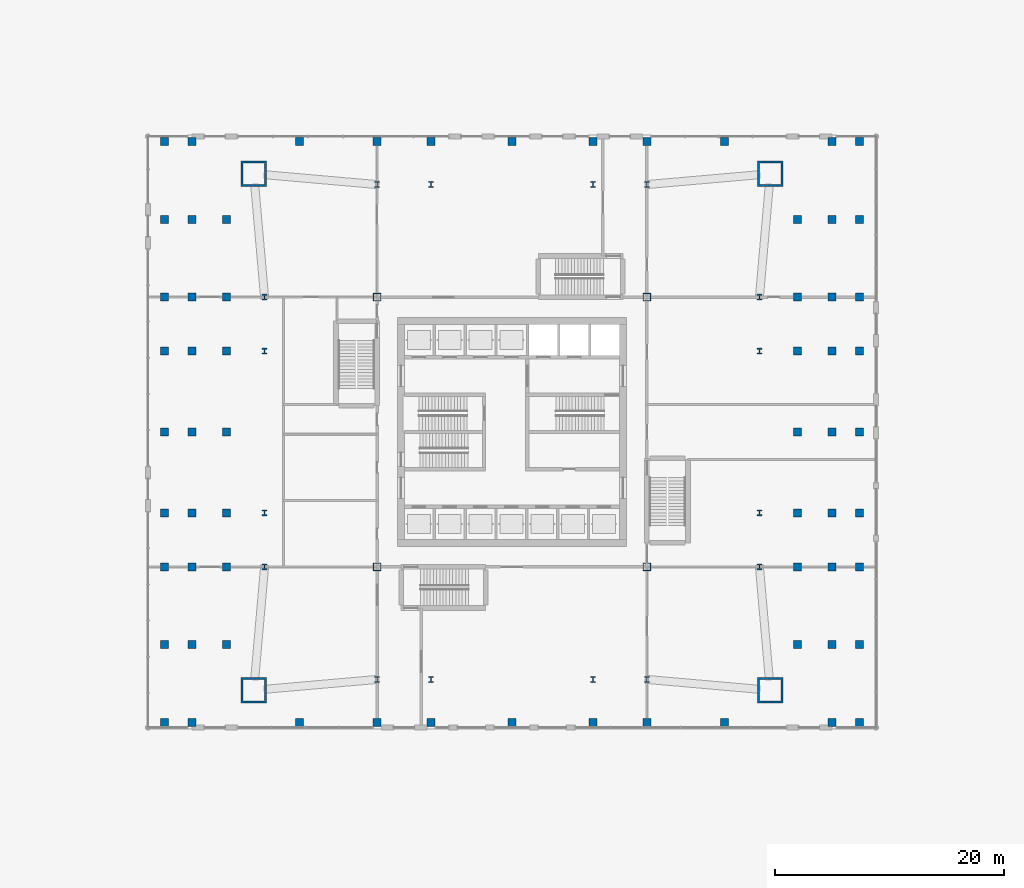
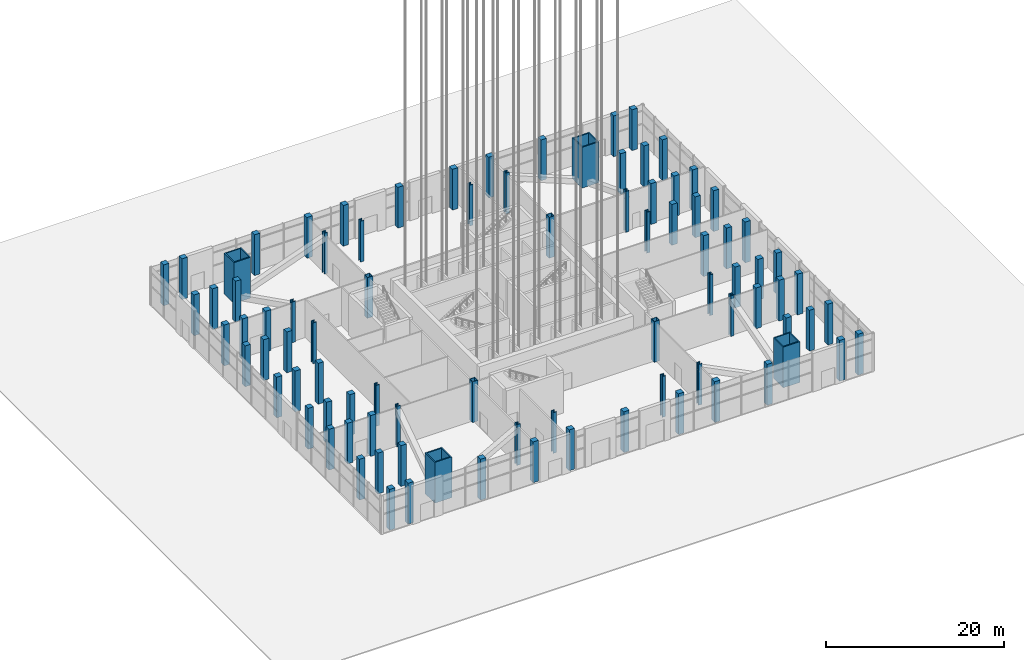
# One storey, part 1 of 27: 88 columns.
"""IFC4 building model written with IfcOpenShell, lengths in metres."""

from ifc_helpers import new_model, si_unit, direction, frame, origin, origin_2d, place, context, subcontext, project, spatial, rectangle, hollow_rectangle, i_section, extrude, material, material_profile, profile_set, type_object, element, save


model = new_model("IFC4")

# Units and contexts
model_context = context("Model", 3, precision=1e-05, world=origin(), true_north=direction((0.0, 1.0)))
body_context = subcontext(model_context, "Body", "Model", "MODEL_VIEW")
ifc_project = project(units=[si_unit("LENGTHUNIT", "METRE"), si_unit("AREAUNIT", "SQUARE_METRE"), si_unit("VOLUMEUNIT", "CUBIC_METRE"), si_unit("PLANEANGLEUNIT", "RADIAN"), si_unit("MASSUNIT", "GRAM", prefix="KILO")], contexts=[model_context])

# Site, building, storey
site_placement = place(None, origin())
site = spatial("IfcSite", under=ifc_project, at=site_placement, CompositionType="ELEMENT")
building_placement = place(site_placement, origin())
building = spatial("IfcBuilding", under=site, at=building_placement, Name="Turquesa Mirador Hotel Tower", CompositionType="ELEMENT")
storey_placement = place(building_placement, origin())
storey = spatial("IfcBuildingStorey", under=building, at=storey_placement, Name="L00", CompositionType="ELEMENT", Elevation=0.0)

# Columns
ifc_material_1 = material(Name="Steel ASTM A572 Grade 50", Category="steel")
ifc_material_profile_1 = material_profile(ifc_material_1, hollow_rectangle(XDim=0.699951171875, YDim=0.699951171875, WallThickness=0.06005859375, at=origin_2d()), Name="BOX700X700X60")
ifc_profile_set_1 = profile_set([ifc_material_profile_1], Name="Steel ASTM A572 Grade 50")
column_type_1 = type_object("IfcColumnType", Name="COLUMN BOX700X700X60", PredefinedType="COLUMN", material=ifc_profile_set_1)
for number, where, z_axis, x_axis, name in (
    (1, (43.199951171875, 33.199951171875, 0.0), (0.0, 0.0, 1.0), (1.0, 0.0, 0.0), "COL-L00-K--11.80--11.80"),
    (2, (43.199951171875, 56.800048828125, 0.0), (0.0, 0.0, 1.0), (1.0, 0.0, 0.0), "COL-L00-K--11.80-+11.80"),
    (3, (66.800048828125, 33.199951171875, 0.0), (0.0, 0.0, 1.0), (1.0, 0.0, 0.0), "COL-L00-K-+11.80--11.80"),
    (4, (66.800048828125, 56.800048828125, 0.0), (0.0, 0.0, 1.0), (1.0, 0.0, 0.0), "COL-L00-K-+11.80-+11.80"),
):
    element("IfcColumn", number, at=place(storey_placement, frame(where, z_axis=z_axis, x_axis=x_axis)), inside=storey, type_object=column_type_1, Name=name, PredefinedType="COLUMN", context=body_context, shape_type="SweptSolid", body=[
        extrude(hollow_rectangle(XDim=0.699951171875, YDim=0.699951171875, WallThickness=0.06005859375, at=origin_2d()), origin(), (0.0, 0.0, 1.0), 5.60009765625),
    ])
ifc_material_2 = material(Name="Steel ASTM A992 Grade 50", Category="steel")
ifc_material_profile_2 = material_profile(ifc_material_2, i_section(OverallWidth=0.44189453125, OverallDepth=0.53076171875, WebThickness=0.06591796875, FlangeThickness=0.105712890625, at=origin_2d()), Name="W14X605")
ifc_profile_set_2 = profile_set([ifc_material_profile_2], Name="Steel ASTM A992 Grade 50")
column_type_2 = type_object("IfcColumnType", Name="COLUMN W14X605", PredefinedType="COLUMN", material=ifc_profile_set_2)
for number, where, z_axis, x_axis, name in (
    (5, (33.35009765625, 33.199951171875, 0.0), (0.0, 0.0, 1.0), (1.0, 0.0, 0.0), "COL-L00-P--21.65--11.80"),
    (6, (33.35009765625, 37.919921875, 0.0), (0.0, 0.0, 1.0), (1.0, 0.0, 0.0), "COL-L00-P--21.65--7.08"),
    (7, (33.35009765625, 52.080078125, 0.0), (0.0, 0.0, 1.0), (1.0, 0.0, 0.0), "COL-L00-P--21.65-+7.08"),
    (8, (33.35009765625, 56.800048828125, 0.0), (0.0, 0.0, 1.0), (1.0, 0.0, 0.0), "COL-L00-P--21.65-+11.80"),
    (9, (43.199951171875, 23.35009765625, 0.0), (0.0, 0.0, 1.0), (1.0, 0.0, 0.0), "COL-L00-P--11.80--21.65"),
    (10, (43.199951171875, 66.64990234375, 0.0), (0.0, 0.0, 1.0), (1.0, 0.0, 0.0), "COL-L00-P--11.80-+21.65"),
    (11, (47.919921875, 23.35009765625, 0.0), (0.0, 0.0, 1.0), (1.0, 0.0, 0.0), "COL-L00-P--7.08--21.65"),
    (12, (47.919921875, 66.64990234375, 0.0), (0.0, 0.0, 1.0), (1.0, 0.0, 0.0), "COL-L00-P--7.08-+21.65"),
    (13, (62.080078125, 23.35009765625, 0.0), (0.0, 0.0, 1.0), (1.0, 0.0, 0.0), "COL-L00-P-+7.08--21.65"),
    (14, (62.080078125, 66.64990234375, 0.0), (0.0, 0.0, 1.0), (1.0, 0.0, 0.0), "COL-L00-P-+7.08-+21.65"),
    (15, (66.800048828125, 23.35009765625, 0.0), (0.0, 0.0, 1.0), (1.0, 0.0, 0.0), "COL-L00-P-+11.80--21.65"),
    (16, (66.800048828125, 66.64990234375, 0.0), (0.0, 0.0, 1.0), (1.0, 0.0, 0.0), "COL-L00-P-+11.80-+21.65"),
    (17, (76.64990234375, 33.199951171875, 0.0), (0.0, 0.0, 1.0), (1.0, 0.0, 0.0), "COL-L00-P-+21.65--11.80"),
    (18, (76.64990234375, 37.919921875, 0.0), (0.0, 0.0, 1.0), (1.0, 0.0, 0.0), "COL-L00-P-+21.65--7.08"),
    (19, (76.64990234375, 52.080078125, 0.0), (0.0, 0.0, 1.0), (1.0, 0.0, 0.0), "COL-L00-P-+21.65-+7.08"),
    (20, (76.64990234375, 56.800048828125, 0.0), (0.0, 0.0, 1.0), (1.0, 0.0, 0.0), "COL-L00-P-+21.65-+11.80"),
):
    element("IfcColumn", number, at=place(storey_placement, frame(where, z_axis=z_axis, x_axis=x_axis)), inside=storey, type_object=column_type_2, Name=name, PredefinedType="COLUMN", context=body_context, shape_type="SweptSolid", body=[
        extrude(i_section(OverallWidth=0.44189453125, OverallDepth=0.53076171875, WebThickness=0.06591796875, FlangeThickness=0.105712890625, at=origin_2d()), origin(), (0.0, 0.0, 1.0), 5.60009765625),
    ])
ifc_material_3 = material(Name="Steel ASTM A514 Grade Q", Category="steel")
ifc_material_profile_3 = material_profile(ifc_material_3, hollow_rectangle(XDim=2.199951171875, YDim=2.199951171875, WallThickness=0.14990234375, at=origin_2d()), Name="BOX2200X2200X150")
ifc_profile_set_3 = profile_set([ifc_material_profile_3], Name="Steel ASTM A514 Grade Q")
column_type_3 = type_object("IfcColumnType", Name="MEGA COLUMN BOX2200X2200X150", PredefinedType="COLUMN", material=ifc_profile_set_3)
for number, where, z_axis, x_axis, name in (
    (21, (77.60009765625, 67.60009765625, 0.0), (0.0, 0.0, 1.0), (1.0, 0.0, 0.0), "Mega column M1"),
    (22, (32.39990234375, 67.60009765625, 0.0), (0.0, 0.0, 1.0), (1.0, 0.0, 0.0), "Mega column M2"),
    (23, (32.39990234375, 22.39990234375, 0.0), (0.0, 0.0, 1.0), (1.0, 0.0, 0.0), "Mega column M3"),
    (24, (77.60009765625, 22.39990234375, 0.0), (0.0, 0.0, 1.0), (1.0, 0.0, 0.0), "Mega column M4"),
):
    element("IfcColumn", number, at=place(storey_placement, frame(where, z_axis=z_axis, x_axis=x_axis)), inside=storey, type_object=column_type_3, Name=name, PredefinedType="COLUMN", context=body_context, shape_type="SweptSolid", body=[
        extrude(hollow_rectangle(XDim=2.199951171875, YDim=2.199951171875, WallThickness=0.14990234375, at=origin_2d()), origin(), (0.0, 0.0, 1.0), 5.60009765625),
    ])
ifc_material_4 = material(Name="Concrete C50/60", Category="concrete")
ifc_material_profile_4 = material_profile(ifc_material_4, rectangle(XDim=0.699951171875, YDim=0.699951171875, at=origin_2d()), Name="RC 700X700")
ifc_profile_set_4 = profile_set([ifc_material_profile_4], Name="Concrete C50/60")
column_type_4 = type_object("IfcColumnType", Name="PODIUM COLUMN 700X700", PredefinedType="COLUMN", material=ifc_profile_set_4)
for number, where, z_axis, x_axis, name in (
    (25, (24.60009765625, 19.60009765625, 0.0), (0.0, 0.0, 1.0), (1.0, 0.0, 0.0), "PCOL-L00--30.40--25.40"),
    (26, (24.60009765625, 26.39990234375, 0.0), (0.0, 0.0, 1.0), (1.0, 0.0, 0.0), "PCOL-L00--30.40--18.60"),
    (27, (24.60009765625, 33.199951171875, 0.0), (0.0, 0.0, 1.0), (1.0, 0.0, 0.0), "PCOL-L00--30.40--11.80"),
    (28, (24.60009765625, 37.919921875, 0.0), (0.0, 0.0, 1.0), (1.0, 0.0, 0.0), "PCOL-L00--30.40--7.08"),
    (29, (24.60009765625, 45.0, 0.0), (0.0, 0.0, 1.0), (1.0, 0.0, 0.0), "PCOL-L00--30.40-+0.00"),
    (30, (24.60009765625, 52.080078125, 0.0), (0.0, 0.0, 1.0), (1.0, 0.0, 0.0), "PCOL-L00--30.40-+7.08"),
    (31, (24.60009765625, 56.800048828125, 0.0), (0.0, 0.0, 1.0), (1.0, 0.0, 0.0), "PCOL-L00--30.40-+11.80"),
    (32, (24.60009765625, 63.60009765625, 0.0), (0.0, 0.0, 1.0), (1.0, 0.0, 0.0), "PCOL-L00--30.40-+18.60"),
    (33, (24.60009765625, 70.39990234375, 0.0), (0.0, 0.0, 1.0), (1.0, 0.0, 0.0), "PCOL-L00--30.40-+25.40"),
    (34, (27.0, 19.60009765625, 0.0), (0.0, 0.0, 1.0), (1.0, 0.0, 0.0), "PCOL-L00--28.00--25.40"),
    (35, (27.0, 26.39990234375, 0.0), (0.0, 0.0, 1.0), (1.0, 0.0, 0.0), "PCOL-L00--28.00--18.60"),
    (36, (27.0, 33.199951171875, 0.0), (0.0, 0.0, 1.0), (1.0, 0.0, 0.0), "PCOL-L00--28.00--11.80"),
    (37, (27.0, 37.919921875, 0.0), (0.0, 0.0, 1.0), (1.0, 0.0, 0.0), "PCOL-L00--28.00--7.08"),
    (38, (27.0, 45.0, 0.0), (0.0, 0.0, 1.0), (1.0, 0.0, 0.0), "PCOL-L00--28.00-+0.00"),
    (39, (27.0, 52.080078125, 0.0), (0.0, 0.0, 1.0), (1.0, 0.0, 0.0), "PCOL-L00--28.00-+7.08"),
    (40, (27.0, 56.800048828125, 0.0), (0.0, 0.0, 1.0), (1.0, 0.0, 0.0), "PCOL-L00--28.00-+11.80"),
    (41, (27.0, 63.60009765625, 0.0), (0.0, 0.0, 1.0), (1.0, 0.0, 0.0), "PCOL-L00--28.00-+18.60"),
    (42, (27.0, 70.39990234375, 0.0), (0.0, 0.0, 1.0), (1.0, 0.0, 0.0), "PCOL-L00--28.00-+25.40"),
    (43, (30.0, 26.39990234375, 0.0), (0.0, 0.0, 1.0), (1.0, 0.0, 0.0), "PCOL-L00--25.00--18.60"),
    (44, (30.0, 33.199951171875, 0.0), (0.0, 0.0, 1.0), (1.0, 0.0, 0.0), "PCOL-L00--25.00--11.80"),
    (45, (30.0, 37.919921875, 0.0), (0.0, 0.0, 1.0), (1.0, 0.0, 0.0), "PCOL-L00--25.00--7.08"),
    (46, (30.0, 45.0, 0.0), (0.0, 0.0, 1.0), (1.0, 0.0, 0.0), "PCOL-L00--25.00-+0.00"),
    (47, (30.0, 52.080078125, 0.0), (0.0, 0.0, 1.0), (1.0, 0.0, 0.0), "PCOL-L00--25.00-+7.08"),
    (48, (30.0, 56.800048828125, 0.0), (0.0, 0.0, 1.0), (1.0, 0.0, 0.0), "PCOL-L00--25.00-+11.80"),
    (49, (30.0, 63.60009765625, 0.0), (0.0, 0.0, 1.0), (1.0, 0.0, 0.0), "PCOL-L00--25.00-+18.60"),
    (50, (36.39990234375, 19.60009765625, 0.0), (0.0, 0.0, 1.0), (1.0, 0.0, 0.0), "PCOL-L00--18.60--25.40"),
    (51, (36.39990234375, 70.39990234375, 0.0), (0.0, 0.0, 1.0), (1.0, 0.0, 0.0), "PCOL-L00--18.60-+25.40"),
    (52, (43.199951171875, 19.60009765625, 0.0), (0.0, 0.0, 1.0), (1.0, 0.0, 0.0), "PCOL-L00--11.80--25.40"),
    (53, (43.199951171875, 70.39990234375, 0.0), (0.0, 0.0, 1.0), (1.0, 0.0, 0.0), "PCOL-L00--11.80-+25.40"),
    (54, (47.919921875, 19.60009765625, 0.0), (0.0, 0.0, 1.0), (1.0, 0.0, 0.0), "PCOL-L00--7.08--25.40"),
    (55, (47.919921875, 70.39990234375, 0.0), (0.0, 0.0, 1.0), (1.0, 0.0, 0.0), "PCOL-L00--7.08-+25.40"),
    (56, (55.0, 19.60009765625, 0.0), (0.0, 0.0, 1.0), (1.0, 0.0, 0.0), "PCOL-L00-+0.00--25.40"),
    (57, (55.0, 70.39990234375, 0.0), (0.0, 0.0, 1.0), (1.0, 0.0, 0.0), "PCOL-L00-+0.00-+25.40"),
    (58, (62.080078125, 19.60009765625, 0.0), (0.0, 0.0, 1.0), (1.0, 0.0, 0.0), "PCOL-L00-+7.08--25.40"),
    (59, (62.080078125, 70.39990234375, 0.0), (0.0, 0.0, 1.0), (1.0, 0.0, 0.0), "PCOL-L00-+7.08-+25.40"),
    (60, (66.800048828125, 19.60009765625, 0.0), (0.0, 0.0, 1.0), (1.0, 0.0, 0.0), "PCOL-L00-+11.80--25.40"),
    (61, (66.800048828125, 70.39990234375, 0.0), (0.0, 0.0, 1.0), (1.0, 0.0, 0.0), "PCOL-L00-+11.80-+25.40"),
    (62, (73.60009765625, 19.60009765625, 0.0), (0.0, 0.0, 1.0), (1.0, 0.0, 0.0), "PCOL-L00-+18.60--25.40"),
    (63, (73.60009765625, 70.39990234375, 0.0), (0.0, 0.0, 1.0), (1.0, 0.0, 0.0), "PCOL-L00-+18.60-+25.40"),
    (64, (80.0, 26.39990234375, 0.0), (0.0, 0.0, 1.0), (1.0, 0.0, 0.0), "PCOL-L00-+25.00--18.60"),
    (65, (80.0, 33.199951171875, 0.0), (0.0, 0.0, 1.0), (1.0, 0.0, 0.0), "PCOL-L00-+25.00--11.80"),
    (66, (80.0, 37.919921875, 0.0), (0.0, 0.0, 1.0), (1.0, 0.0, 0.0), "PCOL-L00-+25.00--7.08"),
    (67, (80.0, 45.0, 0.0), (0.0, 0.0, 1.0), (1.0, 0.0, 0.0), "PCOL-L00-+25.00-+0.00"),
    (68, (80.0, 52.080078125, 0.0), (0.0, 0.0, 1.0), (1.0, 0.0, 0.0), "PCOL-L00-+25.00-+7.08"),
    (69, (80.0, 56.800048828125, 0.0), (0.0, 0.0, 1.0), (1.0, 0.0, 0.0), "PCOL-L00-+25.00-+11.80"),
    (70, (80.0, 63.60009765625, 0.0), (0.0, 0.0, 1.0), (1.0, 0.0, 0.0), "PCOL-L00-+25.00-+18.60"),
    (71, (83.0, 19.60009765625, 0.0), (0.0, 0.0, 1.0), (1.0, 0.0, 0.0), "PCOL-L00-+28.00--25.40"),
    (72, (83.0, 26.39990234375, 0.0), (0.0, 0.0, 1.0), (1.0, 0.0, 0.0), "PCOL-L00-+28.00--18.60"),
    (73, (83.0, 33.199951171875, 0.0), (0.0, 0.0, 1.0), (1.0, 0.0, 0.0), "PCOL-L00-+28.00--11.80"),
    (74, (83.0, 37.919921875, 0.0), (0.0, 0.0, 1.0), (1.0, 0.0, 0.0), "PCOL-L00-+28.00--7.08"),
    (75, (83.0, 45.0, 0.0), (0.0, 0.0, 1.0), (1.0, 0.0, 0.0), "PCOL-L00-+28.00-+0.00"),
    (76, (83.0, 52.080078125, 0.0), (0.0, 0.0, 1.0), (1.0, 0.0, 0.0), "PCOL-L00-+28.00-+7.08"),
    (77, (83.0, 56.800048828125, 0.0), (0.0, 0.0, 1.0), (1.0, 0.0, 0.0), "PCOL-L00-+28.00-+11.80"),
    (78, (83.0, 63.60009765625, 0.0), (0.0, 0.0, 1.0), (1.0, 0.0, 0.0), "PCOL-L00-+28.00-+18.60"),
    (79, (83.0, 70.39990234375, 0.0), (0.0, 0.0, 1.0), (1.0, 0.0, 0.0), "PCOL-L00-+28.00-+25.40"),
    (80, (85.39990234375, 19.60009765625, 0.0), (0.0, 0.0, 1.0), (1.0, 0.0, 0.0), "PCOL-L00-+30.40--25.40"),
    (81, (85.39990234375, 26.39990234375, 0.0), (0.0, 0.0, 1.0), (1.0, 0.0, 0.0), "PCOL-L00-+30.40--18.60"),
    (82, (85.39990234375, 33.199951171875, 0.0), (0.0, 0.0, 1.0), (1.0, 0.0, 0.0), "PCOL-L00-+30.40--11.80"),
    (83, (85.39990234375, 37.919921875, 0.0), (0.0, 0.0, 1.0), (1.0, 0.0, 0.0), "PCOL-L00-+30.40--7.08"),
    (84, (85.39990234375, 45.0, 0.0), (0.0, 0.0, 1.0), (1.0, 0.0, 0.0), "PCOL-L00-+30.40-+0.00"),
    (85, (85.39990234375, 52.080078125, 0.0), (0.0, 0.0, 1.0), (1.0, 0.0, 0.0), "PCOL-L00-+30.40-+7.08"),
    (86, (85.39990234375, 56.800048828125, 0.0), (0.0, 0.0, 1.0), (1.0, 0.0, 0.0), "PCOL-L00-+30.40-+11.80"),
    (87, (85.39990234375, 63.60009765625, 0.0), (0.0, 0.0, 1.0), (1.0, 0.0, 0.0), "PCOL-L00-+30.40-+18.60"),
    (88, (85.39990234375, 70.39990234375, 0.0), (0.0, 0.0, 1.0), (1.0, 0.0, 0.0), "PCOL-L00-+30.40-+25.40"),
):
    element("IfcColumn", number, at=place(storey_placement, frame(where, z_axis=z_axis, x_axis=x_axis)), inside=storey, type_object=column_type_4, Name=name, PredefinedType="COLUMN", context=body_context, shape_type="SweptSolid", body=[
        extrude(rectangle(XDim=0.699951171875, YDim=0.699951171875, at=origin_2d()), origin(), (0.0, 0.0, 1.0), 5.60009765625),
    ])

save(model, "model.ifc")
